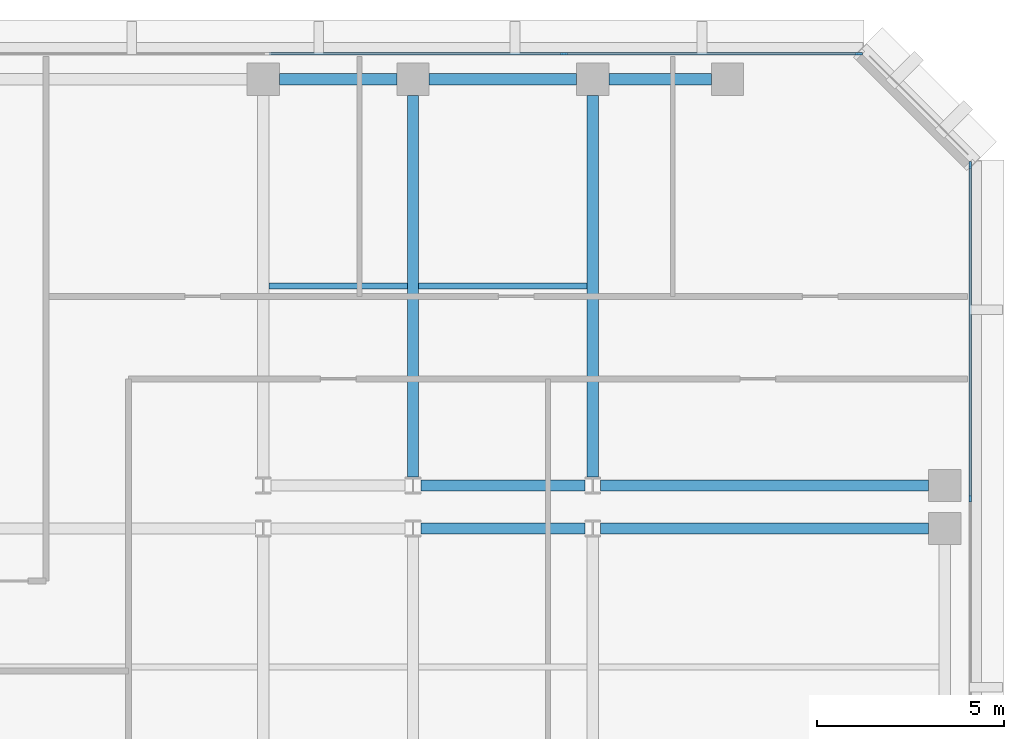
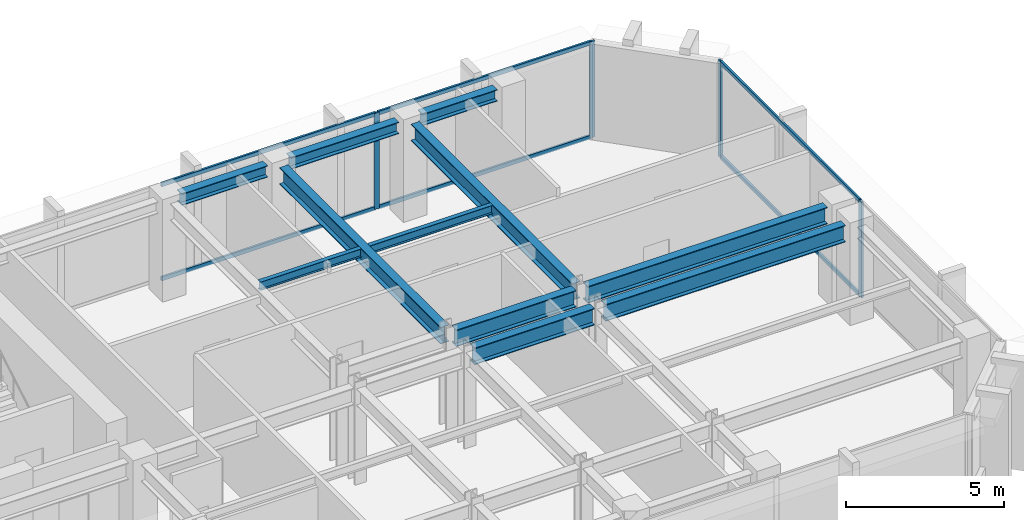
# One storey, part 5 of 11: 11 beams, 10 members, 2 elements without a shape of their own.
"""IFC4 building model written with IfcOpenShell, lengths in metres."""

from ifc_helpers import new_model, si_unit, direction, frame, origin, origin_2d, place, context, subcontext, project, spatial, rectangle, i_section, extrude, material, layer, layer_set, material_profile, profile_set, type_object, element, aggregate, save


model = new_model("IFC4")

# Units and contexts
model_context = context("Model", 3, precision=1e-05, world=origin(), true_north=direction((0.0, 1.0)))
body_context = subcontext(model_context, "Body", "Model", "MODEL_VIEW")
ifc_project = project(units=[si_unit("LENGTHUNIT", "METRE"), si_unit("AREAUNIT", "SQUARE_METRE"), si_unit("VOLUMEUNIT", "CUBIC_METRE"), si_unit("PLANEANGLEUNIT", "RADIAN"), si_unit("MASSUNIT", "GRAM", prefix="KILO")], contexts=[model_context])

# Site, building, storey
site_placement = place(None, origin())
site = spatial("IfcSite", under=ifc_project, at=site_placement, CompositionType="ELEMENT")
building_placement = place(site_placement, origin())
building = spatial("IfcBuilding", under=site, at=building_placement, Name="Kefirva Bronze Tower", CompositionType="ELEMENT")
storey_placement = place(building_placement, frame((0.0, 0.0, 183.47998046875)))
storey = spatial("IfcBuildingStorey", under=building, at=storey_placement, Name="L44", CompositionType="ELEMENT", Elevation=183.47998046875)

# Curtain wall, members
ifc_material_1 = material(Name="Bronze anodised aluminium", Category="aluminium")
ifc_layer = layer(ifc_material_1, 0.199951171875, Name="Bronze anodised aluminium")
ifc_layer_set = layer_set([ifc_layer], Name="Bronze anodised aluminium")
curtain_wall_type = type_object("IfcCurtainWallType", Name="Unitised Bronze Ribbon Curtain Wall Zone 2", PredefinedType="USERDEFINED", material=ifc_layer_set)
curtain_wall_1_placement = place(storey_placement, origin())
curtain_wall_1 = element("IfcCurtainWall", 1, at=curtain_wall_1_placement, inside=storey, type_object=curtain_wall_type, Name="L44 Curtain Wall 3", ObjectType="UNITISED CURTAIN WALL", PredefinedType="USERDEFINED")
ifc_material_profile_1 = material_profile(ifc_material_1, rectangle(XDim=0.074951171875, YDim=0.179931640625, at=origin_2d()), Name="ALU 75x180")
ifc_profile_set_1 = profile_set([ifc_material_profile_1], Name="Bronze anodised aluminium")
member_type_1 = type_object("IfcMemberType", Name="Bronze Mullion 75x180", PredefinedType="MULLION", material=ifc_profile_set_1)
member_1_placement = place(storey_placement, frame((50.080078125, 34.0, 0.0), z_axis=(0.0, 0.0, 1.0), x_axis=(-1.0, 0.0, 0.0)))
member_1 = element("IfcMember", 2, at=member_1_placement, type_object=member_type_1, Name="CW-02 mullion 2", PredefinedType="MULLION", context=body_context, shape_type="SweptSolid", body=[
    extrude(rectangle(XDim=0.074951171875, YDim=0.179931640625, at=origin_2d()), origin(), (0.0, 0.0, 1.0), 3.7099609375),
])
member_2_placement = place(storey_placement, frame((50.080078125, 42.907470703125, 0.0), z_axis=(0.0, 0.0, 1.0), x_axis=(-1.0, 0.0, 0.0)))
member_2 = element("IfcMember", 3, at=member_2_placement, type_object=member_type_1, Name="CW-02 mullion 3", PredefinedType="MULLION", context=body_context, shape_type="SweptSolid", body=[
    extrude(rectangle(XDim=0.074951171875, YDim=0.179931640625, at=origin_2d()), origin(), (0.0, 0.0, 1.0), 3.7099609375),
])

curtain_wall_2_placement = place(storey_placement, origin())
curtain_wall_2 = element("IfcCurtainWall", 4, at=curtain_wall_2_placement, inside=storey, type_object=curtain_wall_type, Name="L44 Curtain Wall 4", ObjectType="UNITISED CURTAIN WALL", PredefinedType="USERDEFINED")
member_3_placement = place(storey_placement, frame((47.107421875, 45.8798828125, 0.0), z_axis=(0.0, 0.0, 1.0), x_axis=(0.0, -1.0, 0.0)))
member_3 = element("IfcMember", 5, at=member_3_placement, type_object=member_type_1, Name="CW-02 mullion 1", PredefinedType="MULLION", context=body_context, shape_type="SweptSolid", body=[
    extrude(rectangle(XDim=0.074951171875, YDim=0.179931640625, at=origin_2d()), origin(), (0.0, 0.0, 1.0), 3.7099609375),
])
member_4_placement = place(storey_placement, frame((39.231689453125, 45.8798828125, 0.0), z_axis=(0.0, 0.0, 1.0), x_axis=(0.0, -1.0, 0.0)))
member_4 = element("IfcMember", 6, at=member_4_placement, type_object=member_type_1, Name="CW-02 mullion 2", PredefinedType="MULLION", context=body_context, shape_type="SweptSolid", body=[
    extrude(rectangle(XDim=0.074951171875, YDim=0.179931640625, at=origin_2d()), origin(), (0.0, 0.0, 1.0), 3.7099609375),
])

# Member
ifc_material_profile_2 = material_profile(ifc_material_1, rectangle(XDim=0.074951171875, YDim=0.14990234375, at=origin_2d()), Name="ALU 75x150")
ifc_profile_set_2 = profile_set([ifc_material_profile_2], Name="Bronze anodised aluminium")
member_type_2 = type_object("IfcMemberType", Name="Bronze Transom 75x150", PredefinedType="USERDEFINED", material=ifc_profile_set_2)
member_5_placement = place(storey_placement, frame((50.080078125, 34.03759765625, 0.03759765625), z_axis=(0.0, 1.0, 0.0), x_axis=(-1.0, 0.0, 0.0)))
member_5 = element("IfcMember", 7, at=member_5_placement, type_object=member_type_2, Name="CW-02 transom 2.1", ObjectType="TRANSOM", PredefinedType="USERDEFINED", context=body_context, shape_type="SweptSolid", body=[
    extrude(rectangle(XDim=0.074951171875, YDim=0.14990234375, at=origin_2d()), origin(), (0.0, 0.0, 1.0), 8.83251953125),
])

member_6_placement = place(storey_placement, frame((50.080078125, 34.03759765625, 3.672607421875), z_axis=(0.0, 1.0, 0.0), x_axis=(-1.0, 0.0, 0.0)))
member_6 = element("IfcMember", 8, at=member_6_placement, type_object=member_type_2, Name="CW-02 transom 2.2", ObjectType="TRANSOM", PredefinedType="USERDEFINED", context=body_context, shape_type="SweptSolid", body=[
    extrude(rectangle(XDim=0.074951171875, YDim=0.14990234375, at=origin_2d()), origin(), (0.0, 0.0, 1.0), 8.83251953125),
])

aggregate(curtain_wall_1, [member_1, member_2, member_5, member_6])

member_7_placement = place(storey_placement, frame((47.070068359375, 45.8798828125, 0.03759765625), z_axis=(-1.0, 0.0, 0.0), x_axis=(0.0, -1.0, 0.0)))
member_7 = element("IfcMember", 9, at=member_7_placement, type_object=member_type_2, Name="CW-02 transom 1.1", ObjectType="TRANSOM", PredefinedType="USERDEFINED", context=body_context, shape_type="SweptSolid", body=[
    extrude(rectangle(XDim=0.074951171875, YDim=0.14990234375, at=origin_2d()), origin(), (0.0, 0.0, 1.0), 7.80078125),
])

member_8_placement = place(storey_placement, frame((47.070068359375, 45.8798828125, 3.672607421875), z_axis=(-1.0, 0.0, 0.0), x_axis=(0.0, -1.0, 0.0)))
member_8 = element("IfcMember", 10, at=member_8_placement, type_object=member_type_2, Name="CW-02 transom 1.2", ObjectType="TRANSOM", PredefinedType="USERDEFINED", context=body_context, shape_type="SweptSolid", body=[
    extrude(rectangle(XDim=0.074951171875, YDim=0.14990234375, at=origin_2d()), origin(), (0.0, 0.0, 1.0), 7.80078125),
])

member_9_placement = place(storey_placement, frame((39.194091796875, 45.8798828125, 0.03759765625), z_axis=(-1.0, 0.0, 0.0), x_axis=(0.0, -1.0, 0.0)))
member_9 = element("IfcMember", 11, at=member_9_placement, type_object=member_type_2, Name="CW-02 transom 2.1", ObjectType="TRANSOM", PredefinedType="USERDEFINED", context=body_context, shape_type="SweptSolid", body=[
    extrude(rectangle(XDim=0.074951171875, YDim=0.14990234375, at=origin_2d()), origin(), (0.0, 0.0, 1.0), 7.83837890625),
])

member_10_placement = place(storey_placement, frame((39.194091796875, 45.8798828125, 3.672607421875), z_axis=(-1.0, 0.0, 0.0), x_axis=(0.0, -1.0, 0.0)))
member_10 = element("IfcMember", 12, at=member_10_placement, type_object=member_type_2, Name="CW-02 transom 2.2", ObjectType="TRANSOM", PredefinedType="USERDEFINED", context=body_context, shape_type="SweptSolid", body=[
    extrude(rectangle(XDim=0.074951171875, YDim=0.14990234375, at=origin_2d()), origin(), (0.0, 0.0, 1.0), 7.83837890625),
])

aggregate(curtain_wall_2, [member_3, member_4, member_7, member_8, member_9, member_10])

# Beams
ifc_material_2 = material(Name="Steel S355", Category="steel")
ifc_material_profile_3 = material_profile(ifc_material_2, i_section(OverallWidth=0.159912109375, OverallDepth=0.330078125, WebThickness=0.007568359375, FlangeThickness=0.011474609375, at=origin_2d()), Name="IPE 330")
ifc_profile_set_3 = profile_set([ifc_material_profile_3], Name="Steel S355")
beam_type_1 = type_object("IfcBeamType", Name="Steel Floor Joist IPE 330", PredefinedType="JOIST", material=ifc_profile_set_3)
beam_1_placement = place(storey_placement, frame((31.35009765625, 39.673583984375, 3.544921875), z_axis=(1.0, 0.0, 0.0), x_axis=(0.0, 1.0, 0.0)))
element("IfcBeam", 13, at=beam_1_placement, inside=storey, type_object=beam_type_1, Name="L44 JST-L44-31-396", PredefinedType="JOIST", context=body_context, shape_type="SweptSolid", body=[
    extrude(i_section(OverallWidth=0.159912109375, OverallDepth=0.330078125, WebThickness=0.007568359375, FlangeThickness=0.011474609375, at=origin_2d()), origin(), (0.0, 0.0, 1.0), 3.699951171875),
])
beam_2_placement = place(storey_placement, frame((35.35009765625, 39.673583984375, 3.544921875), z_axis=(1.0, 0.0, 0.0), x_axis=(0.0, 1.0, 0.0)))
element("IfcBeam", 14, at=beam_2_placement, inside=storey, type_object=beam_type_1, Name="L44 JST-L44-35-396", PredefinedType="JOIST", context=body_context, shape_type="SweptSolid", body=[
    extrude(i_section(OverallWidth=0.159912109375, OverallDepth=0.330078125, WebThickness=0.007568359375, FlangeThickness=0.011474609375, at=origin_2d()), origin(), (0.0, 0.0, 1.0), 4.5),
])
ifc_material_profile_4 = material_profile(ifc_material_2, i_section(OverallWidth=0.300048828125, OverallDepth=0.64990234375, WebThickness=0.01611328125, FlangeThickness=0.031005859375, at=origin_2d()), Name="HEB 650")
ifc_profile_set_4 = profile_set([ifc_material_profile_4], Name="Steel S355")
beam_type_2 = type_object("IfcBeamType", Name="Steel Girder HEB 650", PredefinedType="USERDEFINED", material=ifc_profile_set_4)
beam_3_placement = place(storey_placement, frame((35.408935546875, 33.199951171875, 3.385009765625), z_axis=(1.0, 0.0, 0.0), x_axis=(0.0, 1.0, 0.0)))
element("IfcBeam", 15, at=beam_3_placement, inside=storey, type_object=beam_type_2, Name="L44 BM-L44-EW-35-332", ObjectType="GIRDER", PredefinedType="USERDEFINED", context=body_context, shape_type="SweptSolid", body=[
    extrude(i_section(OverallWidth=0.300048828125, OverallDepth=0.64990234375, WebThickness=0.01611328125, FlangeThickness=0.031005859375, at=origin_2d()), origin(), (0.0, 0.0, 1.0), 4.382080078125),
])
beam_4_placement = place(storey_placement, frame((40.208984375, 33.199951171875, 3.385009765625), z_axis=(1.0, 0.0, 0.0), x_axis=(0.0, 1.0, 0.0)))
element("IfcBeam", 16, at=beam_4_placement, inside=storey, type_object=beam_type_2, Name="L44 BM-L44-EW-40-332", ObjectType="GIRDER", PredefinedType="USERDEFINED", context=body_context, shape_type="SweptSolid", body=[
    extrude(i_section(OverallWidth=0.300048828125, OverallDepth=0.64990234375, WebThickness=0.01611328125, FlangeThickness=0.031005859375, at=origin_2d()), origin(), (0.0, 0.0, 1.0), 8.760986328125),
])
beam_5_placement = place(storey_placement, frame((35.408935546875, 34.35009765625, 3.385009765625), z_axis=(1.0, 0.0, 0.0), x_axis=(0.0, 1.0, 0.0)))
element("IfcBeam", 17, at=beam_5_placement, inside=storey, type_object=beam_type_2, Name="L44 BM-L44-EW-35-344", ObjectType="GIRDER", PredefinedType="USERDEFINED", context=body_context, shape_type="SweptSolid", body=[
    extrude(i_section(OverallWidth=0.300048828125, OverallDepth=0.64990234375, WebThickness=0.01611328125, FlangeThickness=0.031005859375, at=origin_2d()), origin(), (0.0, 0.0, 1.0), 4.382080078125),
])
beam_6_placement = place(storey_placement, frame((40.208984375, 34.35009765625, 3.385009765625), z_axis=(1.0, 0.0, 0.0), x_axis=(0.0, 1.0, 0.0)))
element("IfcBeam", 18, at=beam_6_placement, inside=storey, type_object=beam_type_2, Name="L44 BM-L44-EW-40-344", ObjectType="GIRDER", PredefinedType="USERDEFINED", context=body_context, shape_type="SweptSolid", body=[
    extrude(i_section(OverallWidth=0.300048828125, OverallDepth=0.64990234375, WebThickness=0.01611328125, FlangeThickness=0.031005859375, at=origin_2d()), origin(), (0.0, 0.0, 1.0), 8.760986328125),
])
for number, where, z_axis, x_axis, name in (
    (19, (35.199951171875, 34.577392578125, 3.385009765625), (0.0, 1.0, 0.0), (-1.0, 0.0, 0.0), "L44 BM-L44-NS-352-34"),
    (20, (40.0, 34.577392578125, 3.385009765625), (0.0, 1.0, 0.0), (-1.0, 0.0, 0.0), "L44 BM-L44-NS-400-34"),
):
    element("IfcBeam", number, at=place(storey_placement, frame(where, z_axis=z_axis, x_axis=x_axis)), inside=storey, type_object=beam_type_2, Name=name, ObjectType="GIRDER", PredefinedType="USERDEFINED", context=body_context, shape_type="SweptSolid", body=[
        extrude(i_section(OverallWidth=0.300048828125, OverallDepth=0.64990234375, WebThickness=0.01611328125, FlangeThickness=0.031005859375, at=origin_2d()), origin(), (0.0, 0.0, 1.0), 10.192626953125),
    ])
ifc_material_profile_5 = material_profile(ifc_material_2, i_section(OverallWidth=0.300048828125, OverallDepth=0.449951171875, WebThickness=0.013916015625, FlangeThickness=0.02587890625, at=origin_2d()), Name="HEB 450")
ifc_profile_set_5 = profile_set([ifc_material_profile_5], Name="Steel S355")
beam_type_3 = type_object("IfcBeamType", Name="Steel Spandrel HEB 450 Ext", PredefinedType="SPANDREL", material=ifc_profile_set_5)
beam_7_placement = place(storey_placement, frame((31.6298828125, 45.199951171875, 3.485107421875), z_axis=(1.0, 0.0, 0.0), x_axis=(0.0, 1.0, 0.0)))
element("IfcBeam", 21, at=beam_7_placement, inside=storey, type_object=beam_type_3, Name="L44 BM-L44-EW-31-452", PredefinedType="SPANDREL", context=body_context, shape_type="SweptSolid", body=[
    extrude(i_section(OverallWidth=0.300048828125, OverallDepth=0.449951171875, WebThickness=0.013916015625, FlangeThickness=0.02587890625, at=origin_2d()), origin(), (0.0, 0.0, 1.0), 3.14013671875),
])
beam_8_placement = place(storey_placement, frame((35.6298828125, 45.199951171875, 3.485107421875), z_axis=(1.0, 0.0, 0.0), x_axis=(0.0, 1.0, 0.0)))
element("IfcBeam", 22, at=beam_8_placement, inside=storey, type_object=beam_type_3, Name="L44 BM-L44-EW-35-452", PredefinedType="SPANDREL", context=body_context, shape_type="SweptSolid", body=[
    extrude(i_section(OverallWidth=0.300048828125, OverallDepth=0.449951171875, WebThickness=0.013916015625, FlangeThickness=0.02587890625, at=origin_2d()), origin(), (0.0, 0.0, 1.0), 3.940185546875),
])
beam_9_placement = place(storey_placement, frame((40.429931640625, 45.199951171875, 3.485107421875), z_axis=(1.0, 0.0, 0.0), x_axis=(0.0, 1.0, 0.0)))
element("IfcBeam", 23, at=beam_9_placement, inside=storey, type_object=beam_type_3, Name="L44 BM-L44-EW-40-452", PredefinedType="SPANDREL", context=body_context, shape_type="SweptSolid", body=[
    extrude(i_section(OverallWidth=0.300048828125, OverallDepth=0.449951171875, WebThickness=0.013916015625, FlangeThickness=0.02587890625, at=origin_2d()), origin(), (0.0, 0.0, 1.0), 2.739990234375),
])

save(model, "model.ifc")
